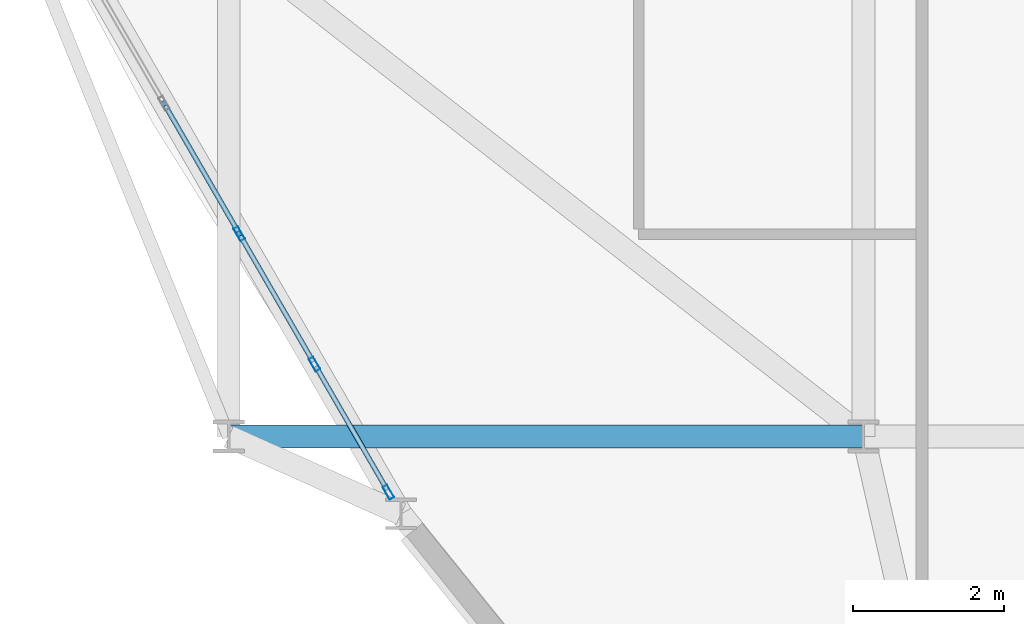
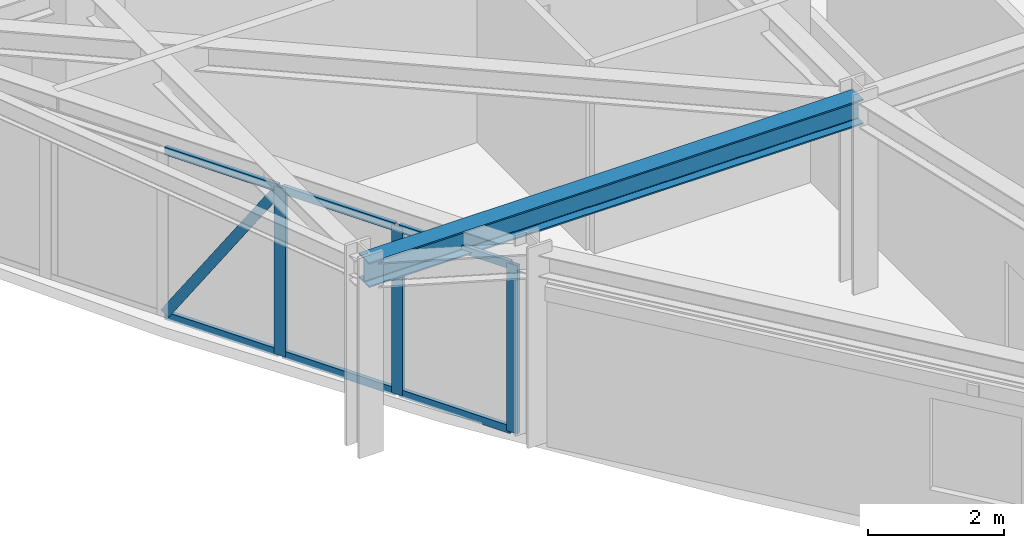
# One storey, part 2 of 16: 10 members, 1 beam, 1 element without a shape of its own.
"""IFC4 building model written with IfcOpenShell, lengths in metres."""

from ifc_helpers import new_model, si_unit, derived_unit, direction, frame, origin, origin_2d, place, context, subcontext, project, spatial, hollow_rectangle, i_section, extrude, source, transform, mapped, material, layer, layer_set, material_profile, profile_set, type_object, element, aggregate, save


model = new_model("IFC4")

# Units and contexts
model_context = context("Model", 3, precision=1e-05, world=origin(), true_north=direction((0.0, 1.0)))
body_context = subcontext(model_context, "Body", "Model", "MODEL_VIEW")
ifc_project = project(units=[si_unit("LENGTHUNIT", "METRE"), si_unit("AREAUNIT", "SQUARE_METRE"), si_unit("VOLUMEUNIT", "CUBIC_METRE"), si_unit("PLANEANGLEUNIT", "RADIAN"), si_unit("MASSUNIT", "GRAM", prefix="KILO"), derived_unit("THERMALTRANSMITTANCEUNIT", [(si_unit("POWERUNIT", "WATT"), 1), (si_unit("LENGTHUNIT", "METRE"), -2), (si_unit("THERMODYNAMICTEMPERATUREUNIT", "KELVIN"), -1)])], contexts=[model_context])

# Site, building, storey
site_placement = place(None, origin())
site = spatial("IfcSite", under=ifc_project, at=site_placement, CompositionType="ELEMENT")
building_placement = place(site_placement, origin())
building = spatial("IfcBuilding", under=site, at=building_placement, Name="Korsvarv Bourse and Concert Hall", CompositionType="ELEMENT")
storey_placement = place(building_placement, frame((0.0, 0.0, 220.199951171875)))
storey = spatial("IfcBuildingStorey", under=building, at=storey_placement, Name="L57", CompositionType="ELEMENT", Elevation=220.199951171875)

# Beam
ifc_material_1 = material(Name="Steel S355", Category="steel")
ifc_material_profile_1 = material_profile(ifc_material_1, i_section(OverallWidth=0.300048828125, OverallDepth=0.449951171875, WebThickness=0.013916015625, FlangeThickness=0.02587890625, FilletRadius=0.02099609375, at=origin_2d()), Name="HEB 450")
ifc_profile_set_1 = profile_set([ifc_material_profile_1], Name="Steel S355")
beam_type = type_object("IfcBeamType", Name="BM-HEB450", PredefinedType="SPANDREL", material=ifc_profile_set_1)
shared_shape_1 = source(origin(), body_context, "Body", "SweptSolid", [
    extrude(i_section(OverallWidth=0.300048828125, OverallDepth=0.449951171875, WebThickness=0.013916015625, FlangeThickness=0.02587890625, FilletRadius=0.02099609375, at=origin_2d()), origin(), (0.0, 0.0, 1.0), 8.39990234375),
])
beam_placement = place(storey_placement, frame((27.60009765625, 24.0, 3.18505859375), z_axis=(1.0, 0.0, 0.0), x_axis=(0.0, 1.0, 0.0)))
element("IfcBeam", 1, at=beam_placement, inside=storey, type_object=beam_type, Name="L57 beam B-08", PredefinedType="SPANDREL", context=body_context, shape_type="MappedRepresentation", body=[
    mapped(shared_shape_1, transform((0.0, 0.0, 0.0), scale=1.0)),
])

# Curtain wall, members
ifc_material_2 = material(Name="Anodised aluminium and triple low-E glazing", Category="glass")
ifc_layer = layer(ifc_material_2, 0.199951171875)
ifc_layer_set = layer_set([ifc_layer], Name="Anodised aluminium and triple low-E glazing")
curtain_wall_type = type_object("IfcCurtainWallType", Name="CW-SYS-3", PredefinedType="NOTDEFINED", material=ifc_layer_set)
curtain_wall_placement = place(storey_placement, origin())
curtain_wall = element("IfcCurtainWall", 2, at=curtain_wall_placement, inside=storey, type_object=curtain_wall_type, Name="L57 CW3 curtain wall CW-L57-F07-2", PredefinedType="NOTDEFINED")
ifc_material_3 = material(Name="Extruded aluminium EN AW-6063 T66", Category="aluminium")
ifc_material_profile_2 = material_profile(ifc_material_3, hollow_rectangle(XDim=0.070068359375, YDim=0.18994140625, WallThickness=0.0048828125, at=origin_2d()), Name="ALU-M 70x190")
ifc_profile_set_2 = profile_set([ifc_material_profile_2], Name="Extruded aluminium EN AW-6063 T66")
member_type_1 = type_object("IfcMemberType", Name="CWM-190", PredefinedType="MULLION", material=ifc_profile_set_2)
shared_shape_2 = source(origin(), body_context, "Body", "SweptSolid", [
    extrude(hollow_rectangle(XDim=0.070068359375, YDim=0.18994140625, WallThickness=0.0048828125, at=origin_2d()), origin(), (0.0, 0.0, 1.0), 3.02001953125),
])
member_1_placement = place(storey_placement, frame((27.73828125, 26.6845703125, 0.0), z_axis=(0.0, 0.0, 1.0), x_axis=(0.866027766968, 0.499995906824, 0.0)))
member_1 = element("IfcMember", 3, at=member_1_placement, type_object=member_type_1, Name="CW3 mullion 4", PredefinedType="MULLION", context=body_context, shape_type="MappedRepresentation", body=[
    mapped(shared_shape_2, transform((0.0, 0.0, 0.0), scale=1.0)),
])
member_2_placement = place(storey_placement, frame((28.734375, 24.959228515625, 0.0), z_axis=(0.0, 0.0, 1.0), x_axis=(0.866027766968, 0.499995906824, 0.0)))
member_2 = element("IfcMember", 4, at=member_2_placement, type_object=member_type_1, Name="CW3 mullion 5", PredefinedType="MULLION", context=body_context, shape_type="MappedRepresentation", body=[
    mapped(shared_shape_2, transform((0.0, 0.0, 0.0), scale=1.0)),
])
member_3_placement = place(storey_placement, frame((29.712890625, 23.26416015625, 0.0), z_axis=(0.0, 0.0, 1.0), x_axis=(0.866027766968, 0.499995906824, 0.0)))
member_3 = element("IfcMember", 5, at=member_3_placement, type_object=member_type_1, Name="CW3 mullion 6", PredefinedType="MULLION", context=body_context, shape_type="MappedRepresentation", body=[
    mapped(shared_shape_2, transform((0.0, 0.0, 0.0), scale=1.0)),
])
ifc_material_profile_3 = material_profile(ifc_material_3, hollow_rectangle(XDim=0.06494140625, YDim=0.139892578125, WallThickness=0.00390625, at=origin_2d()), Name="ALU-T 65x140")
ifc_profile_set_3 = profile_set([ifc_material_profile_3], Name="Extruded aluminium EN AW-6063 T66")
member_type_2 = type_object("IfcMemberType", Name="CWT-140", PredefinedType="USERDEFINED", material=ifc_profile_set_3)
shared_shape_3 = source(origin(), body_context, "Body", "SweptSolid", [
    extrude(hollow_rectangle(XDim=0.06494140625, YDim=0.139892578125, WallThickness=0.00390625, at=origin_2d()), origin(), (0.0, 0.0, 1.0), 1.922119140625),
])
member_4_placement = place(storey_placement, frame((26.759765625, 28.37939453125, 0.032470703125), z_axis=(0.499964356602, -0.866045981532, 0.0), x_axis=(0.866045981532, 0.499964356602, 0.0)))
member_4 = element("IfcMember", 6, at=member_4_placement, type_object=member_type_2, Name="CW3 transom 3.1", ObjectType="TRANSOM", PredefinedType="USERDEFINED", context=body_context, shape_type="MappedRepresentation", body=[
    mapped(shared_shape_3, transform((0.0, 0.0, 0.0), scale=1.0)),
])
member_5_placement = place(storey_placement, frame((26.759765625, 28.37939453125, 2.987548828125), z_axis=(0.499964356602, -0.866045981532, 0.0), x_axis=(0.866045981532, 0.499964356602, 0.0)))
member_5 = element("IfcMember", 7, at=member_5_placement, type_object=member_type_2, Name="CW3 transom 3.2", ObjectType="TRANSOM", PredefinedType="USERDEFINED", context=body_context, shape_type="MappedRepresentation", body=[
    mapped(shared_shape_3, transform((0.0, 0.0, 0.0), scale=1.0)),
])
member_6_placement = place(storey_placement, frame((27.755859375, 26.654052734375, 0.032470703125), z_axis=(0.499964356602, -0.866045981532, 0.0), x_axis=(0.866045981532, 0.499964356602, 0.0)))
member_6 = element("IfcMember", 8, at=member_6_placement, type_object=member_type_2, Name="CW3 transom 4.1", ObjectType="TRANSOM", PredefinedType="USERDEFINED", context=body_context, shape_type="MappedRepresentation", body=[
    mapped(shared_shape_3, transform((0.0, 0.0, 0.0), scale=1.0)),
])
member_7_placement = place(storey_placement, frame((27.755859375, 26.654052734375, 2.987548828125), z_axis=(0.499964356602, -0.866045981532, 0.0), x_axis=(0.866045981532, 0.499964356602, 0.0)))
member_7 = element("IfcMember", 9, at=member_7_placement, type_object=member_type_2, Name="CW3 transom 4.2", ObjectType="TRANSOM", PredefinedType="USERDEFINED", context=body_context, shape_type="MappedRepresentation", body=[
    mapped(shared_shape_3, transform((0.0, 0.0, 0.0), scale=1.0)),
])
shared_shape_4 = source(origin(), body_context, "Body", "SweptSolid", [
    extrude(hollow_rectangle(XDim=0.06494140625, YDim=0.139892578125, WallThickness=0.00390625, at=origin_2d()), origin(), (0.0, 0.0, 1.0), 1.887451171875),
])
member_8_placement = place(storey_placement, frame((28.751708984375, 24.928955078125, 0.032470703125), z_axis=(0.499965068118, -0.866045570776, 0.0), x_axis=(0.866045570776, 0.499965068118, 0.0)))
member_8 = element("IfcMember", 10, at=member_8_placement, type_object=member_type_2, Name="CW3 transom 5.1", ObjectType="TRANSOM", PredefinedType="USERDEFINED", context=body_context, shape_type="MappedRepresentation", body=[
    mapped(shared_shape_4, transform((0.0, 0.0, 0.0), scale=1.0)),
])
member_9_placement = place(storey_placement, frame((28.751708984375, 24.928955078125, 2.987548828125), z_axis=(0.499965068118, -0.866045570776, 0.0), x_axis=(0.866045570776, 0.499965068118, 0.0)))
member_9 = element("IfcMember", 11, at=member_9_placement, type_object=member_type_2, Name="CW3 transom 5.2", ObjectType="TRANSOM", PredefinedType="USERDEFINED", context=body_context, shape_type="MappedRepresentation", body=[
    mapped(shared_shape_4, transform((0.0, 0.0, 0.0), scale=1.0)),
])
ifc_material_profile_4 = material_profile(ifc_material_3, hollow_rectangle(XDim=0.06494140625, YDim=0.1650390625, WallThickness=0.0048828125, at=origin_2d()), Name="ALU-M 65x165")
ifc_profile_set_4 = profile_set([ifc_material_profile_4], Name="Extruded aluminium EN AW-6063 T66")
member_type_3 = type_object("IfcMemberType", Name="CWM-165", PredefinedType="MULLION", material=ifc_profile_set_4)
shared_shape_5 = source(origin(), body_context, "Body", "SweptSolid", [
    extrude(hollow_rectangle(XDim=0.06494140625, YDim=0.1650390625, WallThickness=0.0048828125, at=origin_2d()), origin(), (0.0, 0.0, 1.0), 3.470947265625),
])
member_10_placement = place(storey_placement, frame((26.759765625, 28.37939453125, 0.06494140625), z_axis=(0.276856878666, -0.479575761876, 0.832680825621), x_axis=(0.866045981532, 0.499964356602, 0.0)))
member_10 = element("IfcMember", 12, at=member_10_placement, type_object=member_type_3, Name="CW3 diagonal mullion 3", PredefinedType="MULLION", context=body_context, shape_type="MappedRepresentation", body=[
    mapped(shared_shape_5, transform((0.0, 0.0, 0.0), scale=1.0)),
])
aggregate(curtain_wall, [member_1, member_2, member_3, member_4, member_5, member_10, member_6, member_7, member_8, member_9])

save(model, "model.ifc")
